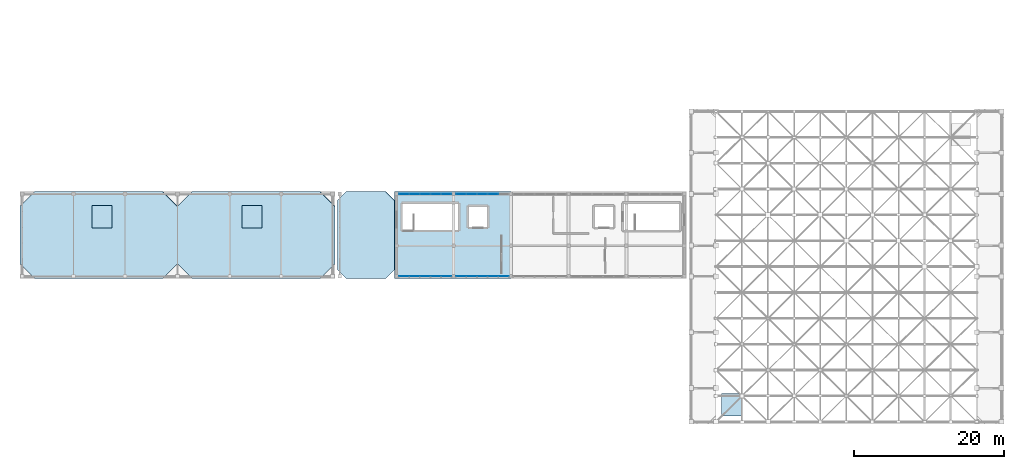
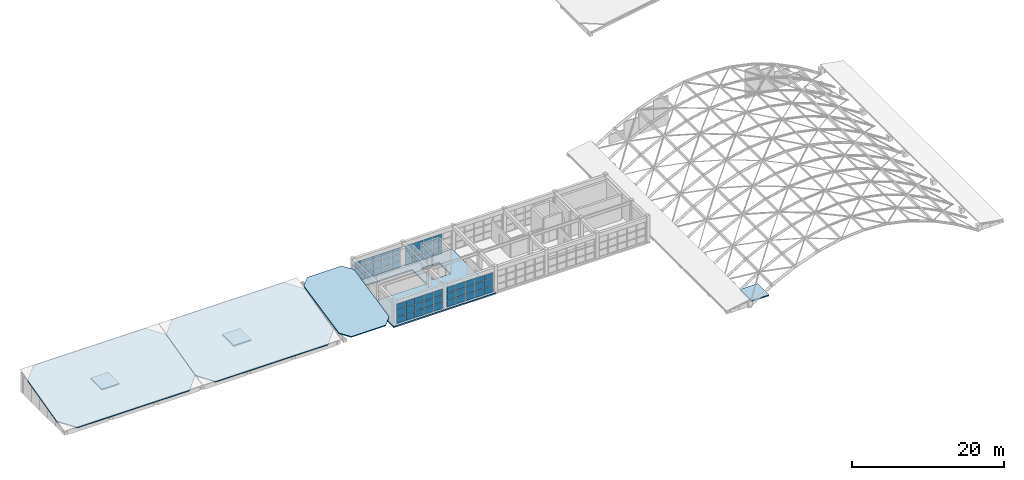
# One storey, part 36 of 52: 57 plates, 7 slabs, 4 elements without a shape of their own.
"""IFC4 building model written with IfcOpenShell, lengths in metres."""

from ifc_helpers import new_model, si_unit, direction, frame, origin, origin_2d, place, context, subcontext, project, spatial, polyline, rectangle, outline, extrude, material, layer, layer_set, type_object, element, aggregate, save


model = new_model("IFC4")

# Units and contexts
model_context = context("Model", 3, precision=1e-05, world=origin(), true_north=direction((0.0, 1.0)))
body_context = subcontext(model_context, "Body", "Model", "MODEL_VIEW")
ifc_project = project(units=[si_unit("LENGTHUNIT", "METRE"), si_unit("AREAUNIT", "SQUARE_METRE"), si_unit("VOLUMEUNIT", "CUBIC_METRE"), si_unit("PLANEANGLEUNIT", "RADIAN"), si_unit("MASSUNIT", "GRAM", prefix="KILO")], contexts=[model_context])

# Site, building, storey
site_placement = place(None, origin())
site = spatial("IfcSite", under=ifc_project, at=site_placement, CompositionType="ELEMENT")
building_placement = place(site_placement, origin())
building = spatial("IfcBuilding", under=site, at=building_placement, Name="Candilejo Ridge Gondola Terminal", CompositionType="ELEMENT")
storey_placement = place(building_placement, frame((0.0, 0.0, 18.60009765625)))
storey = spatial("IfcBuildingStorey", under=building, at=storey_placement, Name="L04", CompositionType="ELEMENT", Elevation=18.60009765625)

# Curtain wall, plates
ifc_material_1 = material(Name="Anodised aluminium AA 6063-T6", Category="aluminium")
ifc_layer_1 = layer(ifc_material_1, 0.169921875)
ifc_layer_set_1 = layer_set([ifc_layer_1], Name="ARC-CW-GALLERY-3200-710X329")
curtain_wall_type_1 = type_object("IfcCurtainWallType", Name="ARC-CW-GALLERY-3200-710X329", PredefinedType="NOTDEFINED", material=ifc_layer_set_1)
curtain_wall_1_placement = place(storey_placement, origin())
curtain_wall_1 = element("IfcCurtainWall", 1, at=curtain_wall_1_placement, inside=storey, type_object=curtain_wall_type_1, Name="Curtain wall V3 L04-100", PredefinedType="NOTDEFINED")
ifc_material_2 = material(Name="Low-E laminated double glazing 6+12A+6+1.52PVB+6 mm", Category="glass")
ifc_layer_2 = layer(ifc_material_2, 0.028076171875)
ifc_layer_set_2 = layer_set([ifc_layer_2], Name="ARC-CW-GLAZ-PANEL")
plate_type = type_object("IfcPlateType", Name="ARC-CW-GLAZ-PANEL", PredefinedType="CURTAIN_PANEL", material=ifc_layer_set_2)
plate_1_placement = place(storey_placement, frame((95.578857421875, 36.699951171875, 0.07470703125), z_axis=(0.0, 0.0, 1.0), x_axis=(1.0, 0.0, 0.0)))
plate_1 = element("IfcPlate", 2, at=plate_1_placement, type_object=plate_type, Name="CW-71X32 panel 1.1", PredefinedType="CURTAIN_PANEL", context=body_context, shape_type="SweptSolid", body=[
    extrude(rectangle(XDim=1.3076171875, YDim=0.028076171875, at=origin_2d()), origin(), (0.0, 0.0, 1.0), 0.987548828125),
])
plate_2_placement = place(storey_placement, frame((95.578857421875, 36.699951171875, 1.13720703125), z_axis=(0.0, 0.0, 1.0), x_axis=(1.0, 0.0, 0.0)))
plate_2 = element("IfcPlate", 3, at=plate_2_placement, type_object=plate_type, Name="CW-71X32 panel 1.2", PredefinedType="CURTAIN_PANEL", context=body_context, shape_type="SweptSolid", body=[
    extrude(rectangle(XDim=1.3076171875, YDim=0.028076171875, at=origin_2d()), origin(), (0.0, 0.0, 1.0), 1.074951171875),
])
plate_3_placement = place(storey_placement, frame((95.578857421875, 36.699951171875, 2.28759765625), z_axis=(0.0, 0.0, 1.0), x_axis=(1.0, 0.0, 0.0)))
plate_3 = element("IfcPlate", 4, at=plate_3_placement, type_object=plate_type, Name="CW-71X32 panel 1.3", PredefinedType="CURTAIN_PANEL", context=body_context, shape_type="SweptSolid", body=[
    extrude(rectangle(XDim=1.3076171875, YDim=0.028076171875, at=origin_2d()), origin(), (0.0, 0.0, 1.0), 0.927490234375),
])
plate_4_placement = place(storey_placement, frame((96.97998046875, 36.699951171875, 0.07470703125), z_axis=(0.0, 0.0, 1.0), x_axis=(1.0, 0.0, 0.0)))
plate_4 = element("IfcPlate", 5, at=plate_4_placement, type_object=plate_type, Name="CW-71X32 panel 2.1", PredefinedType="CURTAIN_PANEL", context=body_context, shape_type="SweptSolid", body=[
    extrude(rectangle(XDim=1.344970703125, YDim=0.028076171875, at=origin_2d()), origin(), (0.0, 0.0, 1.0), 0.987548828125),
])
plate_5_placement = place(storey_placement, frame((96.97998046875, 36.699951171875, 1.13720703125), z_axis=(0.0, 0.0, 1.0), x_axis=(1.0, 0.0, 0.0)))
plate_5 = element("IfcPlate", 6, at=plate_5_placement, type_object=plate_type, Name="CW-71X32 panel 2.2", PredefinedType="CURTAIN_PANEL", context=body_context, shape_type="SweptSolid", body=[
    extrude(rectangle(XDim=1.344970703125, YDim=0.028076171875, at=origin_2d()), origin(), (0.0, 0.0, 1.0), 1.074951171875),
])
plate_6_placement = place(storey_placement, frame((96.97998046875, 36.699951171875, 2.28759765625), z_axis=(0.0, 0.0, 1.0), x_axis=(1.0, 0.0, 0.0)))
plate_6 = element("IfcPlate", 7, at=plate_6_placement, type_object=plate_type, Name="CW-71X32 panel 2.3", PredefinedType="CURTAIN_PANEL", context=body_context, shape_type="SweptSolid", body=[
    extrude(rectangle(XDim=1.344970703125, YDim=0.028076171875, at=origin_2d()), origin(), (0.0, 0.0, 1.0), 0.927490234375),
])
plate_7_placement = place(storey_placement, frame((98.39990234375, 36.699951171875, 0.07470703125), z_axis=(0.0, 0.0, 1.0), x_axis=(1.0, 0.0, 0.0)))
plate_7 = element("IfcPlate", 8, at=plate_7_placement, type_object=plate_type, Name="CW-71X32 panel 3.1", PredefinedType="CURTAIN_PANEL", context=body_context, shape_type="SweptSolid", body=[
    extrude(rectangle(XDim=1.344970703125, YDim=0.028076171875, at=origin_2d()), origin(), (0.0, 0.0, 1.0), 0.987548828125),
])
plate_8_placement = place(storey_placement, frame((98.39990234375, 36.699951171875, 1.13720703125), z_axis=(0.0, 0.0, 1.0), x_axis=(1.0, 0.0, 0.0)))
plate_8 = element("IfcPlate", 9, at=plate_8_placement, type_object=plate_type, Name="CW-71X32 panel 3.2", PredefinedType="CURTAIN_PANEL", context=body_context, shape_type="SweptSolid", body=[
    extrude(rectangle(XDim=1.344970703125, YDim=0.028076171875, at=origin_2d()), origin(), (0.0, 0.0, 1.0), 1.074951171875),
])
plate_9_placement = place(storey_placement, frame((98.39990234375, 36.699951171875, 2.28759765625), z_axis=(0.0, 0.0, 1.0), x_axis=(1.0, 0.0, 0.0)))
plate_9 = element("IfcPlate", 10, at=plate_9_placement, type_object=plate_type, Name="CW-71X32 panel 3.3", PredefinedType="CURTAIN_PANEL", context=body_context, shape_type="SweptSolid", body=[
    extrude(rectangle(XDim=1.344970703125, YDim=0.028076171875, at=origin_2d()), origin(), (0.0, 0.0, 1.0), 0.927490234375),
])
plate_10_placement = place(storey_placement, frame((99.820068359375, 36.699951171875, 0.07470703125), z_axis=(0.0, 0.0, 1.0), x_axis=(1.0, 0.0, 0.0)))
plate_10 = element("IfcPlate", 11, at=plate_10_placement, type_object=plate_type, Name="CW-71X32 panel 4.1", PredefinedType="CURTAIN_PANEL", context=body_context, shape_type="SweptSolid", body=[
    extrude(rectangle(XDim=1.344970703125, YDim=0.028076171875, at=origin_2d()), origin(), (0.0, 0.0, 1.0), 0.987548828125),
])
plate_11_placement = place(storey_placement, frame((99.820068359375, 36.699951171875, 1.13720703125), z_axis=(0.0, 0.0, 1.0), x_axis=(1.0, 0.0, 0.0)))
plate_11 = element("IfcPlate", 12, at=plate_11_placement, type_object=plate_type, Name="CW-71X32 panel 4.2", PredefinedType="CURTAIN_PANEL", context=body_context, shape_type="SweptSolid", body=[
    extrude(rectangle(XDim=1.344970703125, YDim=0.028076171875, at=origin_2d()), origin(), (0.0, 0.0, 1.0), 1.074951171875),
])
plate_12_placement = place(storey_placement, frame((99.820068359375, 36.699951171875, 2.28759765625), z_axis=(0.0, 0.0, 1.0), x_axis=(1.0, 0.0, 0.0)))
plate_12 = element("IfcPlate", 13, at=plate_12_placement, type_object=plate_type, Name="CW-71X32 panel 4.3", PredefinedType="CURTAIN_PANEL", context=body_context, shape_type="SweptSolid", body=[
    extrude(rectangle(XDim=1.344970703125, YDim=0.028076171875, at=origin_2d()), origin(), (0.0, 0.0, 1.0), 0.927490234375),
])
plate_13_placement = place(storey_placement, frame((101.22119140625, 36.699951171875, 0.07470703125), z_axis=(0.0, 0.0, 1.0), x_axis=(1.0, 0.0, 0.0)))
plate_13 = element("IfcPlate", 14, at=plate_13_placement, type_object=plate_type, Name="CW-71X32 panel 5.1", PredefinedType="CURTAIN_PANEL", context=body_context, shape_type="SweptSolid", body=[
    extrude(rectangle(XDim=1.3076171875, YDim=0.028076171875, at=origin_2d()), origin(), (0.0, 0.0, 1.0), 0.987548828125),
])
plate_14_placement = place(storey_placement, frame((101.22119140625, 36.699951171875, 1.13720703125), z_axis=(0.0, 0.0, 1.0), x_axis=(1.0, 0.0, 0.0)))
plate_14 = element("IfcPlate", 15, at=plate_14_placement, type_object=plate_type, Name="CW-71X32 panel 5.2", PredefinedType="CURTAIN_PANEL", context=body_context, shape_type="SweptSolid", body=[
    extrude(rectangle(XDim=1.3076171875, YDim=0.028076171875, at=origin_2d()), origin(), (0.0, 0.0, 1.0), 1.074951171875),
])
plate_15_placement = place(storey_placement, frame((101.22119140625, 36.699951171875, 2.28759765625), z_axis=(0.0, 0.0, 1.0), x_axis=(1.0, 0.0, 0.0)))
plate_15 = element("IfcPlate", 16, at=plate_15_placement, type_object=plate_type, Name="CW-71X32 panel 5.3", PredefinedType="CURTAIN_PANEL", context=body_context, shape_type="SweptSolid", body=[
    extrude(rectangle(XDim=1.3076171875, YDim=0.028076171875, at=origin_2d()), origin(), (0.0, 0.0, 1.0), 0.927490234375),
])
aggregate(curtain_wall_1, [plate_1, plate_2, plate_3, plate_4, plate_5, plate_6, plate_7, plate_8, plate_9, plate_10, plate_11, plate_12, plate_13, plate_14, plate_15])

curtain_wall_2_placement = place(storey_placement, origin())
curtain_wall_2 = element("IfcCurtainWall", 17, at=curtain_wall_2_placement, inside=storey, type_object=curtain_wall_type_1, Name="Curtain wall V3 L04-101", PredefinedType="NOTDEFINED")
plate_16_placement = place(storey_placement, frame((95.578857421875, 25.699951171875, 0.07470703125), z_axis=(0.0, 0.0, 1.0), x_axis=(1.0, 0.0, 0.0)))
plate_16 = element("IfcPlate", 18, at=plate_16_placement, type_object=plate_type, Name="CW-71X32 panel 1.1", PredefinedType="CURTAIN_PANEL", context=body_context, shape_type="SweptSolid", body=[
    extrude(rectangle(XDim=1.3076171875, YDim=0.028076171875, at=origin_2d()), origin(), (0.0, 0.0, 1.0), 0.987548828125),
])
plate_17_placement = place(storey_placement, frame((95.578857421875, 25.699951171875, 1.13720703125), z_axis=(0.0, 0.0, 1.0), x_axis=(1.0, 0.0, 0.0)))
plate_17 = element("IfcPlate", 19, at=plate_17_placement, type_object=plate_type, Name="CW-71X32 panel 1.2", PredefinedType="CURTAIN_PANEL", context=body_context, shape_type="SweptSolid", body=[
    extrude(rectangle(XDim=1.3076171875, YDim=0.028076171875, at=origin_2d()), origin(), (0.0, 0.0, 1.0), 1.074951171875),
])
plate_18_placement = place(storey_placement, frame((95.578857421875, 25.699951171875, 2.28759765625), z_axis=(0.0, 0.0, 1.0), x_axis=(1.0, 0.0, 0.0)))
plate_18 = element("IfcPlate", 20, at=plate_18_placement, type_object=plate_type, Name="CW-71X32 panel 1.3", PredefinedType="CURTAIN_PANEL", context=body_context, shape_type="SweptSolid", body=[
    extrude(rectangle(XDim=1.3076171875, YDim=0.028076171875, at=origin_2d()), origin(), (0.0, 0.0, 1.0), 0.927490234375),
])
plate_19_placement = place(storey_placement, frame((96.97998046875, 25.699951171875, 0.07470703125), z_axis=(0.0, 0.0, 1.0), x_axis=(1.0, 0.0, 0.0)))
plate_19 = element("IfcPlate", 21, at=plate_19_placement, type_object=plate_type, Name="CW-71X32 panel 2.1", PredefinedType="CURTAIN_PANEL", context=body_context, shape_type="SweptSolid", body=[
    extrude(rectangle(XDim=1.344970703125, YDim=0.028076171875, at=origin_2d()), origin(), (0.0, 0.0, 1.0), 0.987548828125),
])
plate_20_placement = place(storey_placement, frame((96.97998046875, 25.699951171875, 1.13720703125), z_axis=(0.0, 0.0, 1.0), x_axis=(1.0, 0.0, 0.0)))
plate_20 = element("IfcPlate", 22, at=plate_20_placement, type_object=plate_type, Name="CW-71X32 panel 2.2", PredefinedType="CURTAIN_PANEL", context=body_context, shape_type="SweptSolid", body=[
    extrude(rectangle(XDim=1.344970703125, YDim=0.028076171875, at=origin_2d()), origin(), (0.0, 0.0, 1.0), 1.074951171875),
])
plate_21_placement = place(storey_placement, frame((96.97998046875, 25.699951171875, 2.28759765625), z_axis=(0.0, 0.0, 1.0), x_axis=(1.0, 0.0, 0.0)))
plate_21 = element("IfcPlate", 23, at=plate_21_placement, type_object=plate_type, Name="CW-71X32 panel 2.3", PredefinedType="CURTAIN_PANEL", context=body_context, shape_type="SweptSolid", body=[
    extrude(rectangle(XDim=1.344970703125, YDim=0.028076171875, at=origin_2d()), origin(), (0.0, 0.0, 1.0), 0.927490234375),
])
plate_22_placement = place(storey_placement, frame((98.39990234375, 25.699951171875, 0.07470703125), z_axis=(0.0, 0.0, 1.0), x_axis=(1.0, 0.0, 0.0)))
plate_22 = element("IfcPlate", 24, at=plate_22_placement, type_object=plate_type, Name="CW-71X32 panel 3.1", PredefinedType="CURTAIN_PANEL", context=body_context, shape_type="SweptSolid", body=[
    extrude(rectangle(XDim=1.344970703125, YDim=0.028076171875, at=origin_2d()), origin(), (0.0, 0.0, 1.0), 0.987548828125),
])
plate_23_placement = place(storey_placement, frame((98.39990234375, 25.699951171875, 1.13720703125), z_axis=(0.0, 0.0, 1.0), x_axis=(1.0, 0.0, 0.0)))
plate_23 = element("IfcPlate", 25, at=plate_23_placement, type_object=plate_type, Name="CW-71X32 panel 3.2", PredefinedType="CURTAIN_PANEL", context=body_context, shape_type="SweptSolid", body=[
    extrude(rectangle(XDim=1.344970703125, YDim=0.028076171875, at=origin_2d()), origin(), (0.0, 0.0, 1.0), 1.074951171875),
])
plate_24_placement = place(storey_placement, frame((98.39990234375, 25.699951171875, 2.28759765625), z_axis=(0.0, 0.0, 1.0), x_axis=(1.0, 0.0, 0.0)))
plate_24 = element("IfcPlate", 26, at=plate_24_placement, type_object=plate_type, Name="CW-71X32 panel 3.3", PredefinedType="CURTAIN_PANEL", context=body_context, shape_type="SweptSolid", body=[
    extrude(rectangle(XDim=1.344970703125, YDim=0.028076171875, at=origin_2d()), origin(), (0.0, 0.0, 1.0), 0.927490234375),
])
plate_25_placement = place(storey_placement, frame((99.820068359375, 25.699951171875, 0.07470703125), z_axis=(0.0, 0.0, 1.0), x_axis=(1.0, 0.0, 0.0)))
plate_25 = element("IfcPlate", 27, at=plate_25_placement, type_object=plate_type, Name="CW-71X32 panel 4.1", PredefinedType="CURTAIN_PANEL", context=body_context, shape_type="SweptSolid", body=[
    extrude(rectangle(XDim=1.344970703125, YDim=0.028076171875, at=origin_2d()), origin(), (0.0, 0.0, 1.0), 0.987548828125),
])
plate_26_placement = place(storey_placement, frame((99.820068359375, 25.699951171875, 1.13720703125), z_axis=(0.0, 0.0, 1.0), x_axis=(1.0, 0.0, 0.0)))
plate_26 = element("IfcPlate", 28, at=plate_26_placement, type_object=plate_type, Name="CW-71X32 panel 4.2", PredefinedType="CURTAIN_PANEL", context=body_context, shape_type="SweptSolid", body=[
    extrude(rectangle(XDim=1.344970703125, YDim=0.028076171875, at=origin_2d()), origin(), (0.0, 0.0, 1.0), 1.074951171875),
])
plate_27_placement = place(storey_placement, frame((99.820068359375, 25.699951171875, 2.28759765625), z_axis=(0.0, 0.0, 1.0), x_axis=(1.0, 0.0, 0.0)))
plate_27 = element("IfcPlate", 29, at=plate_27_placement, type_object=plate_type, Name="CW-71X32 panel 4.3", PredefinedType="CURTAIN_PANEL", context=body_context, shape_type="SweptSolid", body=[
    extrude(rectangle(XDim=1.344970703125, YDim=0.028076171875, at=origin_2d()), origin(), (0.0, 0.0, 1.0), 0.927490234375),
])
plate_28_placement = place(storey_placement, frame((101.22119140625, 25.699951171875, 0.07470703125), z_axis=(0.0, 0.0, 1.0), x_axis=(1.0, 0.0, 0.0)))
plate_28 = element("IfcPlate", 30, at=plate_28_placement, type_object=plate_type, Name="CW-71X32 panel 5.1", PredefinedType="CURTAIN_PANEL", context=body_context, shape_type="SweptSolid", body=[
    extrude(rectangle(XDim=1.3076171875, YDim=0.028076171875, at=origin_2d()), origin(), (0.0, 0.0, 1.0), 0.987548828125),
])
plate_29_placement = place(storey_placement, frame((101.22119140625, 25.699951171875, 1.13720703125), z_axis=(0.0, 0.0, 1.0), x_axis=(1.0, 0.0, 0.0)))
plate_29 = element("IfcPlate", 31, at=plate_29_placement, type_object=plate_type, Name="CW-71X32 panel 5.2", PredefinedType="CURTAIN_PANEL", context=body_context, shape_type="SweptSolid", body=[
    extrude(rectangle(XDim=1.3076171875, YDim=0.028076171875, at=origin_2d()), origin(), (0.0, 0.0, 1.0), 1.074951171875),
])
plate_30_placement = place(storey_placement, frame((101.22119140625, 25.699951171875, 2.28759765625), z_axis=(0.0, 0.0, 1.0), x_axis=(1.0, 0.0, 0.0)))
plate_30 = element("IfcPlate", 32, at=plate_30_placement, type_object=plate_type, Name="CW-71X32 panel 5.3", PredefinedType="CURTAIN_PANEL", context=body_context, shape_type="SweptSolid", body=[
    extrude(rectangle(XDim=1.3076171875, YDim=0.028076171875, at=origin_2d()), origin(), (0.0, 0.0, 1.0), 0.927490234375),
])
aggregate(curtain_wall_2, [plate_16, plate_17, plate_18, plate_19, plate_20, plate_21, plate_22, plate_23, plate_24, plate_25, plate_26, plate_27, plate_28, plate_29, plate_30])

ifc_material_3 = material(Name="Anodised aluminium AA 6063-T6", Category="aluminium")
ifc_layer_3 = layer(ifc_material_3, 0.169921875)
ifc_layer_set_3 = layer_set([ifc_layer_3], Name="ARC-CW-GALLERY-3200-715X329")
curtain_wall_type_2 = type_object("IfcCurtainWallType", Name="ARC-CW-GALLERY-3200-715X329", PredefinedType="NOTDEFINED", material=ifc_layer_set_3)
curtain_wall_3_placement = place(storey_placement, origin())
curtain_wall_3 = element("IfcCurtainWall", 33, at=curtain_wall_3_placement, inside=storey, type_object=curtain_wall_type_2, Name="Curtain wall V3 L04-102", PredefinedType="NOTDEFINED")
plate_31_placement = place(storey_placement, frame((103.183837890625, 36.699951171875, 0.07470703125), z_axis=(0.0, 0.0, 1.0), x_axis=(1.0, 0.0, 0.0)))
plate_31 = element("IfcPlate", 34, at=plate_31_placement, type_object=plate_type, Name="CW-71X32 panel 1.1", PredefinedType="CURTAIN_PANEL", context=body_context, shape_type="SweptSolid", body=[
    extrude(rectangle(XDim=1.3173828125, YDim=0.028076171875, at=origin_2d()), origin(), (0.0, 0.0, 1.0), 0.987548828125),
])
plate_32_placement = place(storey_placement, frame((103.183837890625, 36.699951171875, 1.13720703125), z_axis=(0.0, 0.0, 1.0), x_axis=(1.0, 0.0, 0.0)))
plate_32 = element("IfcPlate", 35, at=plate_32_placement, type_object=plate_type, Name="CW-71X32 panel 1.2", PredefinedType="CURTAIN_PANEL", context=body_context, shape_type="SweptSolid", body=[
    extrude(rectangle(XDim=1.3173828125, YDim=0.028076171875, at=origin_2d()), origin(), (0.0, 0.0, 1.0), 1.074951171875),
])
plate_33_placement = place(storey_placement, frame((103.183837890625, 36.699951171875, 2.28759765625), z_axis=(0.0, 0.0, 1.0), x_axis=(1.0, 0.0, 0.0)))
plate_33 = element("IfcPlate", 36, at=plate_33_placement, type_object=plate_type, Name="CW-71X32 panel 1.3", PredefinedType="CURTAIN_PANEL", context=body_context, shape_type="SweptSolid", body=[
    extrude(rectangle(XDim=1.3173828125, YDim=0.028076171875, at=origin_2d()), origin(), (0.0, 0.0, 1.0), 0.927490234375),
])
plate_34_placement = place(storey_placement, frame((104.594970703125, 36.699951171875, 0.07470703125), z_axis=(0.0, 0.0, 1.0), x_axis=(1.0, 0.0, 0.0)))
plate_34 = element("IfcPlate", 37, at=plate_34_placement, type_object=plate_type, Name="CW-71X32 panel 2.1", PredefinedType="CURTAIN_PANEL", context=body_context, shape_type="SweptSolid", body=[
    extrude(rectangle(XDim=1.35498046875, YDim=0.028076171875, at=origin_2d()), origin(), (0.0, 0.0, 1.0), 0.987548828125),
])
plate_35_placement = place(storey_placement, frame((104.594970703125, 36.699951171875, 1.13720703125), z_axis=(0.0, 0.0, 1.0), x_axis=(1.0, 0.0, 0.0)))
plate_35 = element("IfcPlate", 38, at=plate_35_placement, type_object=plate_type, Name="CW-71X32 panel 2.2", PredefinedType="CURTAIN_PANEL", context=body_context, shape_type="SweptSolid", body=[
    extrude(rectangle(XDim=1.35498046875, YDim=0.028076171875, at=origin_2d()), origin(), (0.0, 0.0, 1.0), 1.074951171875),
])
plate_36_placement = place(storey_placement, frame((104.594970703125, 36.699951171875, 2.28759765625), z_axis=(0.0, 0.0, 1.0), x_axis=(1.0, 0.0, 0.0)))
plate_36 = element("IfcPlate", 39, at=plate_36_placement, type_object=plate_type, Name="CW-71X32 panel 2.3", PredefinedType="CURTAIN_PANEL", context=body_context, shape_type="SweptSolid", body=[
    extrude(rectangle(XDim=1.35498046875, YDim=0.028076171875, at=origin_2d()), origin(), (0.0, 0.0, 1.0), 0.927490234375),
])
plate_37_placement = place(storey_placement, frame((106.02490234375, 36.699951171875, 0.07470703125), z_axis=(0.0, 0.0, 1.0), x_axis=(1.0, 0.0, 0.0)))
plate_37 = element("IfcPlate", 40, at=plate_37_placement, type_object=plate_type, Name="CW-71X32 panel 3.1", PredefinedType="CURTAIN_PANEL", context=body_context, shape_type="SweptSolid", body=[
    extrude(rectangle(XDim=1.35498046875, YDim=0.028076171875, at=origin_2d()), origin(), (0.0, 0.0, 1.0), 0.987548828125),
])
plate_38_placement = place(storey_placement, frame((106.02490234375, 36.699951171875, 1.13720703125), z_axis=(0.0, 0.0, 1.0), x_axis=(1.0, 0.0, 0.0)))
plate_38 = element("IfcPlate", 41, at=plate_38_placement, type_object=plate_type, Name="CW-71X32 panel 3.2", PredefinedType="CURTAIN_PANEL", context=body_context, shape_type="SweptSolid", body=[
    extrude(rectangle(XDim=1.35498046875, YDim=0.028076171875, at=origin_2d()), origin(), (0.0, 0.0, 1.0), 1.074951171875),
])
plate_39_placement = place(storey_placement, frame((106.02490234375, 36.699951171875, 2.28759765625), z_axis=(0.0, 0.0, 1.0), x_axis=(1.0, 0.0, 0.0)))
plate_39 = element("IfcPlate", 42, at=plate_39_placement, type_object=plate_type, Name="CW-71X32 panel 3.3", PredefinedType="CURTAIN_PANEL", context=body_context, shape_type="SweptSolid", body=[
    extrude(rectangle(XDim=1.35498046875, YDim=0.028076171875, at=origin_2d()), origin(), (0.0, 0.0, 1.0), 0.927490234375),
])
plate_40_placement = place(storey_placement, frame((107.455078125, 36.699951171875, 0.07470703125), z_axis=(0.0, 0.0, 1.0), x_axis=(1.0, 0.0, 0.0)))
plate_40 = element("IfcPlate", 43, at=plate_40_placement, type_object=plate_type, Name="CW-71X32 panel 4.1", PredefinedType="CURTAIN_PANEL", context=body_context, shape_type="SweptSolid", body=[
    extrude(rectangle(XDim=1.35498046875, YDim=0.028076171875, at=origin_2d()), origin(), (0.0, 0.0, 1.0), 0.987548828125),
])
plate_41_placement = place(storey_placement, frame((107.455078125, 36.699951171875, 1.13720703125), z_axis=(0.0, 0.0, 1.0), x_axis=(1.0, 0.0, 0.0)))
plate_41 = element("IfcPlate", 44, at=plate_41_placement, type_object=plate_type, Name="CW-71X32 panel 4.2", PredefinedType="CURTAIN_PANEL", context=body_context, shape_type="SweptSolid", body=[
    extrude(rectangle(XDim=1.35498046875, YDim=0.028076171875, at=origin_2d()), origin(), (0.0, 0.0, 1.0), 1.074951171875),
])
plate_42_placement = place(storey_placement, frame((107.455078125, 36.699951171875, 2.28759765625), z_axis=(0.0, 0.0, 1.0), x_axis=(1.0, 0.0, 0.0)))
plate_42 = element("IfcPlate", 45, at=plate_42_placement, type_object=plate_type, Name="CW-71X32 panel 4.3", PredefinedType="CURTAIN_PANEL", context=body_context, shape_type="SweptSolid", body=[
    extrude(rectangle(XDim=1.35498046875, YDim=0.028076171875, at=origin_2d()), origin(), (0.0, 0.0, 1.0), 0.927490234375),
])
aggregate(curtain_wall_3, [plate_31, plate_32, plate_33, plate_34, plate_35, plate_36, plate_37, plate_38, plate_39, plate_40, plate_41, plate_42])

curtain_wall_4_placement = place(storey_placement, origin())
curtain_wall_4 = element("IfcCurtainWall", 46, at=curtain_wall_4_placement, inside=storey, type_object=curtain_wall_type_2, Name="Curtain wall V3 L04-103", PredefinedType="NOTDEFINED")
plate_43_placement = place(storey_placement, frame((103.183837890625, 25.699951171875, 0.07470703125), z_axis=(0.0, 0.0, 1.0), x_axis=(1.0, 0.0, 0.0)))
plate_43 = element("IfcPlate", 47, at=plate_43_placement, type_object=plate_type, Name="CW-71X32 panel 1.1", PredefinedType="CURTAIN_PANEL", context=body_context, shape_type="SweptSolid", body=[
    extrude(rectangle(XDim=1.3173828125, YDim=0.028076171875, at=origin_2d()), origin(), (0.0, 0.0, 1.0), 0.987548828125),
])
plate_44_placement = place(storey_placement, frame((103.183837890625, 25.699951171875, 1.13720703125), z_axis=(0.0, 0.0, 1.0), x_axis=(1.0, 0.0, 0.0)))
plate_44 = element("IfcPlate", 48, at=plate_44_placement, type_object=plate_type, Name="CW-71X32 panel 1.2", PredefinedType="CURTAIN_PANEL", context=body_context, shape_type="SweptSolid", body=[
    extrude(rectangle(XDim=1.3173828125, YDim=0.028076171875, at=origin_2d()), origin(), (0.0, 0.0, 1.0), 1.074951171875),
])
plate_45_placement = place(storey_placement, frame((103.183837890625, 25.699951171875, 2.28759765625), z_axis=(0.0, 0.0, 1.0), x_axis=(1.0, 0.0, 0.0)))
plate_45 = element("IfcPlate", 49, at=plate_45_placement, type_object=plate_type, Name="CW-71X32 panel 1.3", PredefinedType="CURTAIN_PANEL", context=body_context, shape_type="SweptSolid", body=[
    extrude(rectangle(XDim=1.3173828125, YDim=0.028076171875, at=origin_2d()), origin(), (0.0, 0.0, 1.0), 0.927490234375),
])
plate_46_placement = place(storey_placement, frame((104.594970703125, 25.699951171875, 0.07470703125), z_axis=(0.0, 0.0, 1.0), x_axis=(1.0, 0.0, 0.0)))
plate_46 = element("IfcPlate", 50, at=plate_46_placement, type_object=plate_type, Name="CW-71X32 panel 2.1", PredefinedType="CURTAIN_PANEL", context=body_context, shape_type="SweptSolid", body=[
    extrude(rectangle(XDim=1.35498046875, YDim=0.028076171875, at=origin_2d()), origin(), (0.0, 0.0, 1.0), 0.987548828125),
])
plate_47_placement = place(storey_placement, frame((104.594970703125, 25.699951171875, 1.13720703125), z_axis=(0.0, 0.0, 1.0), x_axis=(1.0, 0.0, 0.0)))
plate_47 = element("IfcPlate", 51, at=plate_47_placement, type_object=plate_type, Name="CW-71X32 panel 2.2", PredefinedType="CURTAIN_PANEL", context=body_context, shape_type="SweptSolid", body=[
    extrude(rectangle(XDim=1.35498046875, YDim=0.028076171875, at=origin_2d()), origin(), (0.0, 0.0, 1.0), 1.074951171875),
])
plate_48_placement = place(storey_placement, frame((104.594970703125, 25.699951171875, 2.28759765625), z_axis=(0.0, 0.0, 1.0), x_axis=(1.0, 0.0, 0.0)))
plate_48 = element("IfcPlate", 52, at=plate_48_placement, type_object=plate_type, Name="CW-71X32 panel 2.3", PredefinedType="CURTAIN_PANEL", context=body_context, shape_type="SweptSolid", body=[
    extrude(rectangle(XDim=1.35498046875, YDim=0.028076171875, at=origin_2d()), origin(), (0.0, 0.0, 1.0), 0.927490234375),
])
plate_49_placement = place(storey_placement, frame((106.02490234375, 25.699951171875, 0.07470703125), z_axis=(0.0, 0.0, 1.0), x_axis=(1.0, 0.0, 0.0)))
plate_49 = element("IfcPlate", 53, at=plate_49_placement, type_object=plate_type, Name="CW-71X32 panel 3.1", PredefinedType="CURTAIN_PANEL", context=body_context, shape_type="SweptSolid", body=[
    extrude(rectangle(XDim=1.35498046875, YDim=0.028076171875, at=origin_2d()), origin(), (0.0, 0.0, 1.0), 0.987548828125),
])
plate_50_placement = place(storey_placement, frame((106.02490234375, 25.699951171875, 1.13720703125), z_axis=(0.0, 0.0, 1.0), x_axis=(1.0, 0.0, 0.0)))
plate_50 = element("IfcPlate", 54, at=plate_50_placement, type_object=plate_type, Name="CW-71X32 panel 3.2", PredefinedType="CURTAIN_PANEL", context=body_context, shape_type="SweptSolid", body=[
    extrude(rectangle(XDim=1.35498046875, YDim=0.028076171875, at=origin_2d()), origin(), (0.0, 0.0, 1.0), 1.074951171875),
])
plate_51_placement = place(storey_placement, frame((106.02490234375, 25.699951171875, 2.28759765625), z_axis=(0.0, 0.0, 1.0), x_axis=(1.0, 0.0, 0.0)))
plate_51 = element("IfcPlate", 55, at=plate_51_placement, type_object=plate_type, Name="CW-71X32 panel 3.3", PredefinedType="CURTAIN_PANEL", context=body_context, shape_type="SweptSolid", body=[
    extrude(rectangle(XDim=1.35498046875, YDim=0.028076171875, at=origin_2d()), origin(), (0.0, 0.0, 1.0), 0.927490234375),
])
plate_52_placement = place(storey_placement, frame((107.455078125, 25.699951171875, 0.07470703125), z_axis=(0.0, 0.0, 1.0), x_axis=(1.0, 0.0, 0.0)))
plate_52 = element("IfcPlate", 56, at=plate_52_placement, type_object=plate_type, Name="CW-71X32 panel 4.1", PredefinedType="CURTAIN_PANEL", context=body_context, shape_type="SweptSolid", body=[
    extrude(rectangle(XDim=1.35498046875, YDim=0.028076171875, at=origin_2d()), origin(), (0.0, 0.0, 1.0), 0.987548828125),
])
plate_53_placement = place(storey_placement, frame((107.455078125, 25.699951171875, 1.13720703125), z_axis=(0.0, 0.0, 1.0), x_axis=(1.0, 0.0, 0.0)))
plate_53 = element("IfcPlate", 57, at=plate_53_placement, type_object=plate_type, Name="CW-71X32 panel 4.2", PredefinedType="CURTAIN_PANEL", context=body_context, shape_type="SweptSolid", body=[
    extrude(rectangle(XDim=1.35498046875, YDim=0.028076171875, at=origin_2d()), origin(), (0.0, 0.0, 1.0), 1.074951171875),
])
plate_54_placement = place(storey_placement, frame((107.455078125, 25.699951171875, 2.28759765625), z_axis=(0.0, 0.0, 1.0), x_axis=(1.0, 0.0, 0.0)))
plate_54 = element("IfcPlate", 58, at=plate_54_placement, type_object=plate_type, Name="CW-71X32 panel 4.3", PredefinedType="CURTAIN_PANEL", context=body_context, shape_type="SweptSolid", body=[
    extrude(rectangle(XDim=1.35498046875, YDim=0.028076171875, at=origin_2d()), origin(), (0.0, 0.0, 1.0), 0.927490234375),
])
plate_55_placement = place(storey_placement, frame((108.8662109375, 25.699951171875, 0.07470703125), z_axis=(0.0, 0.0, 1.0), x_axis=(1.0, 0.0, 0.0)))
plate_55 = element("IfcPlate", 59, at=plate_55_placement, type_object=plate_type, Name="CW-71X32 panel 5.1", PredefinedType="CURTAIN_PANEL", context=body_context, shape_type="SweptSolid", body=[
    extrude(rectangle(XDim=1.3173828125, YDim=0.028076171875, at=origin_2d()), origin(), (0.0, 0.0, 1.0), 0.987548828125),
])
plate_56_placement = place(storey_placement, frame((108.8662109375, 25.699951171875, 1.13720703125), z_axis=(0.0, 0.0, 1.0), x_axis=(1.0, 0.0, 0.0)))
plate_56 = element("IfcPlate", 60, at=plate_56_placement, type_object=plate_type, Name="CW-71X32 panel 5.2", PredefinedType="CURTAIN_PANEL", context=body_context, shape_type="SweptSolid", body=[
    extrude(rectangle(XDim=1.3173828125, YDim=0.028076171875, at=origin_2d()), origin(), (0.0, 0.0, 1.0), 1.074951171875),
])
plate_57_placement = place(storey_placement, frame((108.8662109375, 25.699951171875, 2.28759765625), z_axis=(0.0, 0.0, 1.0), x_axis=(1.0, 0.0, 0.0)))
plate_57 = element("IfcPlate", 61, at=plate_57_placement, type_object=plate_type, Name="CW-71X32 panel 5.3", PredefinedType="CURTAIN_PANEL", context=body_context, shape_type="SweptSolid", body=[
    extrude(rectangle(XDim=1.3173828125, YDim=0.028076171875, at=origin_2d()), origin(), (0.0, 0.0, 1.0), 0.927490234375),
])
aggregate(curtain_wall_4, [plate_43, plate_44, plate_45, plate_46, plate_47, plate_48, plate_49, plate_50, plate_51, plate_52, plate_53, plate_54, plate_55, plate_56, plate_57])

# Slabs
ifc_material_4 = material(Name="Concrete f'c 35 MPa (C35/45)", Category="concrete")
ifc_layer_4 = layer(ifc_material_4, 0.2099609375)
ifc_layer_set_4 = layer_set([ifc_layer_4], Name="STR-FLOOR-SLAB-210")
slab_type_1 = type_object("IfcSlabType", Name="STR-FLOOR-SLAB-210", PredefinedType="FLOOR", material=ifc_layer_set_4)
slab_1_placement = place(storey_placement, frame((0.0, 0.0, -0.210205078125)))
element("IfcSlab", 62, at=slab_1_placement, inside=storey, type_object=slab_type_1, Name="Slab SLB-V3-L04-W", PredefinedType="FLOOR", context=body_context, shape_type="SweptSolid", body=[
    extrude(outline(polyline([(94.300048828125, 25.39990234375), (109.85009765625, 25.39990234375), (109.85009765625, 37.0), (94.300048828125, 37.0), (94.300048828125, 25.39990234375)]), holes=[polyline([(95.25, 31.75), (102.949951171875, 31.75), (102.949951171875, 35.5), (95.25, 35.5), (95.25, 31.75)]), polyline([(104.10009765625, 32.14990234375), (106.800048828125, 32.14990234375), (106.800048828125, 35.14990234375), (104.10009765625, 35.14990234375), (104.10009765625, 32.14990234375)])]), origin(), (0.0, 0.0, 1.0), 0.210205078125),
])
ifc_material_5 = material(Name="Concrete f'c 35 MPa (C35/45)", Category="concrete")
ifc_layer_5 = layer(ifc_material_5, 0.1650390625)
ifc_layer_set_5 = layer_set([ifc_layer_5], Name="STR-ROOF-SLAB-165")
slab_type_2 = type_object("IfcSlabType", Name="STR-ROOF-SLAB-165", PredefinedType="ROOF", material=ifc_layer_set_5)
slab_2_placement = place(storey_placement, frame((87.8876953125, 25.39990234375, 0.64990234375), z_axis=(0.0, -0.207921023347, 0.978145616997), x_axis=(1.0, 0.0, 0.0)))
element("IfcSlab", 63, at=slab_2_placement, inside=storey, type_object=slab_type_2, Name="Sloped standing-seam roof deck RF-V3-STEP", PredefinedType="ROOF", context=body_context, shape_type="SweptSolid", body=[
    extrude(outline(polyline([(0.0, 0.0), (5.224609375, 0.0), (6.412353515625, 1.2142746007888037), (6.412353515625, 10.644955199204908), (5.224609375, 11.859280561962304), (0.0, 11.859280561962304), (-1.187744140625, 10.644955199204908), (-1.187744140625, 1.2142746007888037), (0.0, 0.0)])), origin(), (0.0, 0.0, -1.0), 0.1650390625),
])
ifc_material_6 = material(Name="Concrete f'c 35 MPa (C35/45)", Category="concrete")
ifc_layer_6 = layer(ifc_material_6, 0.179931640625)
ifc_layer_set_6 = layer_set([ifc_layer_6], Name="STR-ROOF-SLAB-180")
slab_type_3 = type_object("IfcSlabType", Name="STR-ROOF-SLAB-180", PredefinedType="ROOF", material=ifc_layer_set_6)
for number, where, z_axis, x_axis, name in (
    (64, (46.32421875, 25.39990234375, 0.64990234375), (0.0, -0.24191127286, 0.970298374761), (1.0, 0.0, 0.0), "Sloped standing-seam roof deck RF-V2-WEST"),
    (65, (67.32421875, 25.39990234375, 0.64990234375), (0.0, -0.24191127286, 0.970298374761), (1.0, 0.0, 0.0), "Sloped standing-seam roof deck RF-V2-EAST"),
):
    element("IfcSlab", number, at=place(storey_placement, frame(where, z_axis=z_axis, x_axis=x_axis)), inside=storey, type_object=slab_type_3, Name=name, PredefinedType="ROOF", context=body_context, shape_type="SweptSolid", body=[
        extrude(outline(polyline([(0.0, 0.0), (17.051513671875, 0.0), (19.02587890625, 2.0347890827088713), (19.02587890625, 9.920632844794595), (17.051513671875, 11.955185038251814), (0.0, 11.955185038251814), (-1.97412109375, 9.920632844794595), (-1.97412109375, 2.0347890827088713), (0.0, 0.0)])), origin(), (0.0, 0.0, -1.0), 0.179931640625),
    ])
ifc_material_7 = material(Name="Concrete f'c 35 MPa (C35/45)", Category="concrete")
ifc_layer_7 = layer(ifc_material_7, 0.195068359375)
ifc_layer_set_7 = layer_set([ifc_layer_7], Name="STR-ROOF-SLAB-195")
slab_type_4 = type_object("IfcSlabType", Name="STR-ROOF-SLAB-195", PredefinedType="ROOF", material=ifc_layer_set_7)
slab_3_placement = place(storey_placement, frame((0.0, 0.0, -0.195068359375)))
element("IfcSlab", 66, at=slab_3_placement, inside=storey, type_object=slab_type_4, Name="Lift shaft roof slab C-V2A", PredefinedType="ROOF", context=body_context, shape_type="SweptSolid", body=[
    extrude(outline(polyline([(53.949951171875, 32.14990234375), (56.64990234375, 32.14990234375), (56.64990234375, 35.14990234375), (53.949951171875, 35.14990234375), (53.949951171875, 32.14990234375)])), origin(), (0.0, 0.0, 1.0), 0.195068359375),
])
slab_4_placement = place(storey_placement, frame((0.0, 0.0, -0.195068359375)))
element("IfcSlab", 67, at=slab_4_placement, inside=storey, type_object=slab_type_4, Name="Lift shaft roof slab C-V2B", PredefinedType="ROOF", context=body_context, shape_type="SweptSolid", body=[
    extrude(outline(polyline([(73.949951171875, 32.14990234375), (76.64990234375, 32.14990234375), (76.64990234375, 35.14990234375), (73.949951171875, 35.14990234375), (73.949951171875, 32.14990234375)])), origin(), (0.0, 0.0, 1.0), 0.195068359375),
])
slab_5_placement = place(storey_placement, frame((0.0, 0.0, -0.195068359375)))
element("IfcSlab", 68, at=slab_5_placement, inside=storey, type_object=slab_type_4, Name="Lift shaft roof slab C-V4A", PredefinedType="ROOF", context=body_context, shape_type="SweptSolid", body=[
    extrude(outline(polyline([(137.949951171875, 7.050048828125), (140.64990234375, 7.050048828125), (140.64990234375, 10.050048828125), (137.949951171875, 10.050048828125), (137.949951171875, 7.050048828125)])), origin(), (0.0, 0.0, 1.0), 0.195068359375),
])

save(model, "model.ifc")
